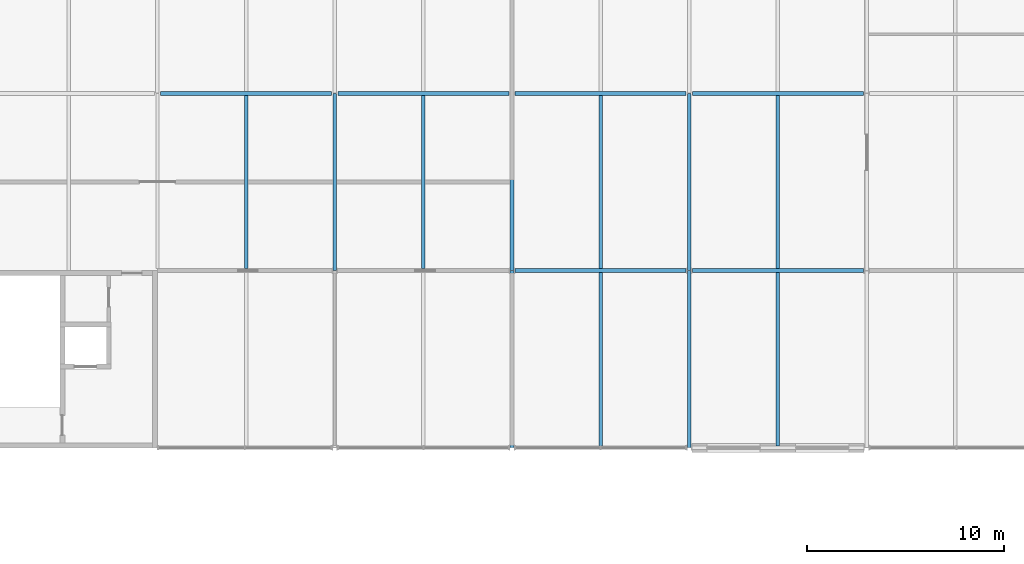
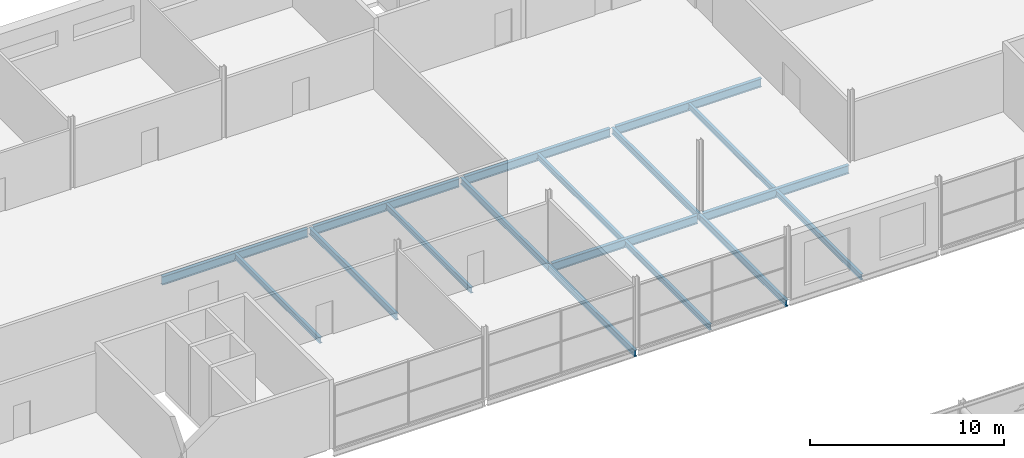
# One storey, part 58 of 138: 17 beams.
"""IFC4 building model written with IfcOpenShell, lengths in metres."""

from ifc_helpers import new_model, si_unit, direction, frame, origin, origin_2d, place, context, subcontext, project, spatial, i_section, extrude, material, material_profile, profile_set, type_object, element, save


model = new_model("IFC4")

# Units and contexts
model_context = context("Model", 3, precision=1e-05, world=origin(), true_north=direction((0.0, 1.0)))
body_context = subcontext(model_context, "Body", "Model", "MODEL_VIEW")
ifc_project = project(units=[si_unit("LENGTHUNIT", "METRE"), si_unit("AREAUNIT", "SQUARE_METRE"), si_unit("VOLUMEUNIT", "CUBIC_METRE"), si_unit("PLANEANGLEUNIT", "RADIAN"), si_unit("MASSUNIT", "GRAM", prefix="KILO")], contexts=[model_context])

# Site, building, storey
site_placement = place(None, origin())
site = spatial("IfcSite", under=ifc_project, at=site_placement, CompositionType="ELEMENT")
building_placement = place(site_placement, origin())
building = spatial("IfcBuilding", under=site, at=building_placement, Name="Corbel Yard City Hall", CompositionType="ELEMENT")
storey_placement = place(building_placement, frame((0.0, 0.0, 10.5)))
storey = spatial("IfcBuildingStorey", under=building, at=storey_placement, Name="L02", CompositionType="ELEMENT", Elevation=10.5)

# Beams
ifc_material = material(Name="Steel Grade 300 (300 MPa yield)", Category="steel")
ifc_material_profile_1 = material_profile(ifc_material, i_section(OverallWidth=0.177978515625, OverallDepth=0.403076171875, WebThickness=0.007568359375, FlangeThickness=0.010986328125, at=origin_2d()), Name="410UB53.7")
ifc_profile_set_1 = profile_set([ifc_material_profile_1], Name="Steel Grade 300 (300 MPa yield)")
beam_type_1 = type_object("IfcBeamType", Name="Beam 410UB53.7", PredefinedType="BEAM", material=ifc_profile_set_1)
beam_1_placement = place(storey_placement, frame((72.0, 54.005859375, -0.3515625), z_axis=(0.0, 1.0, 0.0), x_axis=(-1.0, 0.0, 0.0)))
element("IfcBeam", 1, at=beam_1_placement, inside=storey, type_object=beam_type_1, Name="Beam 410UB53.7 SB6 L02floor", PredefinedType="BEAM", context=body_context, shape_type="SweptSolid", body=[
    extrude(i_section(OverallWidth=0.177978515625, OverallDepth=0.403076171875, WebThickness=0.007568359375, FlangeThickness=0.010986328125, at=origin_2d()), origin(), (0.0, 0.0, 1.0), 8.98828125),
])
beam_2_placement = place(storey_placement, frame((81.0, 45.00537109375, -0.3515625), z_axis=(0.0, 1.0, 0.0), x_axis=(-1.0, 0.0, 0.0)))
element("IfcBeam", 2, at=beam_2_placement, inside=storey, type_object=beam_type_1, Name="Beam 410UB53.7 SB6 L02floor", PredefinedType="BEAM", context=body_context, shape_type="SweptSolid", body=[
    extrude(i_section(OverallWidth=0.177978515625, OverallDepth=0.403076171875, WebThickness=0.007568359375, FlangeThickness=0.010986328125, at=origin_2d()), origin(), (0.0, 0.0, 1.0), 8.98876953125),
])
beam_3_placement = place(storey_placement, frame((81.0, 54.005859375, -0.3515625), z_axis=(0.0, 1.0, 0.0), x_axis=(-1.0, 0.0, 0.0)))
element("IfcBeam", 3, at=beam_3_placement, inside=storey, type_object=beam_type_1, Name="Beam 410UB53.7 SB6 L02floor", PredefinedType="BEAM", context=body_context, shape_type="SweptSolid", body=[
    extrude(i_section(OverallWidth=0.177978515625, OverallDepth=0.403076171875, WebThickness=0.007568359375, FlangeThickness=0.010986328125, at=origin_2d()), origin(), (0.0, 0.0, 1.0), 8.98828125),
])
beam_4_placement = place(storey_placement, frame((90.0, 45.00537109375, -0.3515625), z_axis=(0.0, 1.0, 0.0), x_axis=(-1.0, 0.0, 0.0)))
element("IfcBeam", 4, at=beam_4_placement, inside=storey, type_object=beam_type_1, Name="Beam 410UB53.7 SB6 L02floor", PredefinedType="BEAM", context=body_context, shape_type="SweptSolid", body=[
    extrude(i_section(OverallWidth=0.177978515625, OverallDepth=0.403076171875, WebThickness=0.007568359375, FlangeThickness=0.010986328125, at=origin_2d()), origin(), (0.0, 0.0, 1.0), 8.98876953125),
])
beam_5_placement = place(storey_placement, frame((90.0, 54.005859375, -0.3515625), z_axis=(0.0, 1.0, 0.0), x_axis=(-1.0, 0.0, 0.0)))
element("IfcBeam", 5, at=beam_5_placement, inside=storey, type_object=beam_type_1, Name="Beam 410UB53.7 SB6 L02floor", PredefinedType="BEAM", context=body_context, shape_type="SweptSolid", body=[
    extrude(i_section(OverallWidth=0.177978515625, OverallDepth=0.403076171875, WebThickness=0.007568359375, FlangeThickness=0.010986328125, at=origin_2d()), origin(), (0.0, 0.0, 1.0), 8.98828125),
])
ifc_material_profile_2 = material_profile(ifc_material, i_section(OverallWidth=0.208984375, OverallDepth=0.528076171875, WebThickness=0.009521484375, FlangeThickness=0.01318359375, at=origin_2d()), Name="530UB82.0")
ifc_profile_set_2 = profile_set([ifc_material_profile_2], Name="Steel Grade 300 (300 MPa yield)")
beam_type_2 = type_object("IfcBeamType", Name="Girder 530UB82.0", PredefinedType="BEAM", material=ifc_profile_set_2)
for number, where, z_axis, x_axis, name in (
    (6, (81.157470703125, 54.0, -0.4140625), (1.0, 0.0, 0.0), (0.0, 1.0, 0.0), "Girder 530UB82.0 GB3 L02floor"),
    (7, (90.157470703125, 54.0, -0.4140625), (1.0, 0.0, 0.0), (0.0, 1.0, 0.0), "Girder 530UB82.0 GB3 L02floor"),
    (8, (63.157470703125, 63.0, -0.4140625), (1.0, 0.0, 0.0), (0.0, 1.0, 0.0), "Girder 530UB82.0 GB3 L02floor"),
    (9, (72.157470703125, 63.0, -0.4140625), (1.0, 0.0, 0.0), (0.0, 1.0, 0.0), "Girder 530UB82.0 GB3 L02floor"),
    (10, (81.157470703125, 63.0, -0.4140625), (1.0, 0.0, 0.0), (0.0, 1.0, 0.0), "Girder 530UB82.0 GB3 L02floor"),
    (11, (90.157470703125, 63.0, -0.4140625), (1.0, 0.0, 0.0), (0.0, 1.0, 0.0), "Girder 530UB82.0 GB3 L02floor"),
):
    element("IfcBeam", number, at=place(storey_placement, frame(where, z_axis=z_axis, x_axis=x_axis)), inside=storey, type_object=beam_type_2, Name=name, PredefinedType="BEAM", context=body_context, shape_type="SweptSolid", body=[
        extrude(i_section(OverallWidth=0.208984375, OverallDepth=0.528076171875, WebThickness=0.009521484375, FlangeThickness=0.01318359375, at=origin_2d()), origin(), (0.0, 0.0, 1.0), 8.68505859375),
    ])
ifc_material_profile_3 = material_profile(ifc_material, i_section(OverallWidth=0.1708984375, OverallDepth=0.35205078125, WebThickness=0.0068359375, FlangeThickness=0.009765625, at=origin_2d()), Name="360UB44.7")
ifc_profile_set_3 = profile_set([ifc_material_profile_3], Name="Steel Grade 300 (300 MPa yield)")
beam_type_3 = type_object("IfcBeamType", Name="Secondary beam 360UB44.7", PredefinedType="JOIST", material=ifc_profile_set_3)
for number, where, z_axis, x_axis, name in (
    (12, (67.5, 54.1044921875, -0.325927734375), (0.0, 1.0, 0.0), (-1.0, 0.0, 0.0), "Secondary beam 360UB44.7 SB11 L02floor"),
    (13, (76.5, 54.1044921875, -0.325927734375), (0.0, 1.0, 0.0), (-1.0, 0.0, 0.0), "Secondary beam 360UB44.7 SB11 L02floor"),
    (14, (85.5, 54.1044921875, -0.325927734375), (0.0, 1.0, 0.0), (-1.0, 0.0, 0.0), "Secondary beam 360UB44.7 SB11 L02floor"),
    (15, (94.5, 54.1044921875, -0.325927734375), (0.0, 1.0, 0.0), (-1.0, 0.0, 0.0), "Secondary beam 360UB44.7 SB11 L02floor"),
):
    element("IfcBeam", number, at=place(storey_placement, frame(where, z_axis=z_axis, x_axis=x_axis)), inside=storey, type_object=beam_type_3, Name=name, PredefinedType="JOIST", context=body_context, shape_type="SweptSolid", body=[
        extrude(i_section(OverallWidth=0.1708984375, OverallDepth=0.35205078125, WebThickness=0.0068359375, FlangeThickness=0.009765625, at=origin_2d()), origin(), (0.0, 0.0, 1.0), 8.791015625),
    ])
ifc_material_profile_4 = material_profile(ifc_material, i_section(OverallWidth=0.1708984375, OverallDepth=0.35595703125, WebThickness=0.00732421875, FlangeThickness=0.011474609375, at=origin_2d()), Name="360UB50.7")
ifc_profile_set_4 = profile_set([ifc_material_profile_4], Name="Steel Grade 300 (300 MPa yield)")
beam_type_4 = type_object("IfcBeamType", Name="Secondary beam 360UB50.7", PredefinedType="JOIST", material=ifc_profile_set_4)
for number, where, z_axis, x_axis, name in (
    (16, (85.5, 45.0859375, -0.327880859375), (0.0, 1.0, 0.0), (-1.0, 0.0, 0.0), "Secondary beam 360UB50.7 SB10 L02floor"),
    (17, (94.5, 45.0859375, -0.327880859375), (0.0, 1.0, 0.0), (-1.0, 0.0, 0.0), "Secondary beam 360UB50.7 SB10 L02floor"),
):
    element("IfcBeam", number, at=place(storey_placement, frame(where, z_axis=z_axis, x_axis=x_axis)), inside=storey, type_object=beam_type_4, Name=name, PredefinedType="JOIST", context=body_context, shape_type="SweptSolid", body=[
        extrude(i_section(OverallWidth=0.1708984375, OverallDepth=0.35595703125, WebThickness=0.00732421875, FlangeThickness=0.011474609375, at=origin_2d()), origin(), (0.0, 0.0, 1.0), 8.8095703125),
    ])

save(model, "model.ifc")
